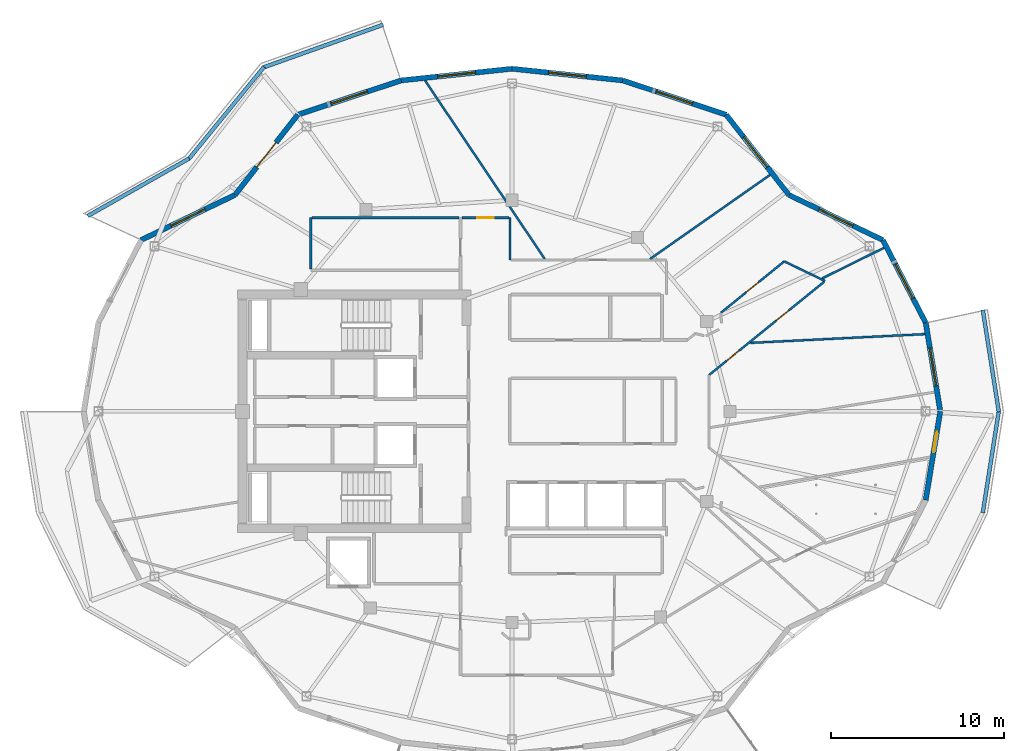
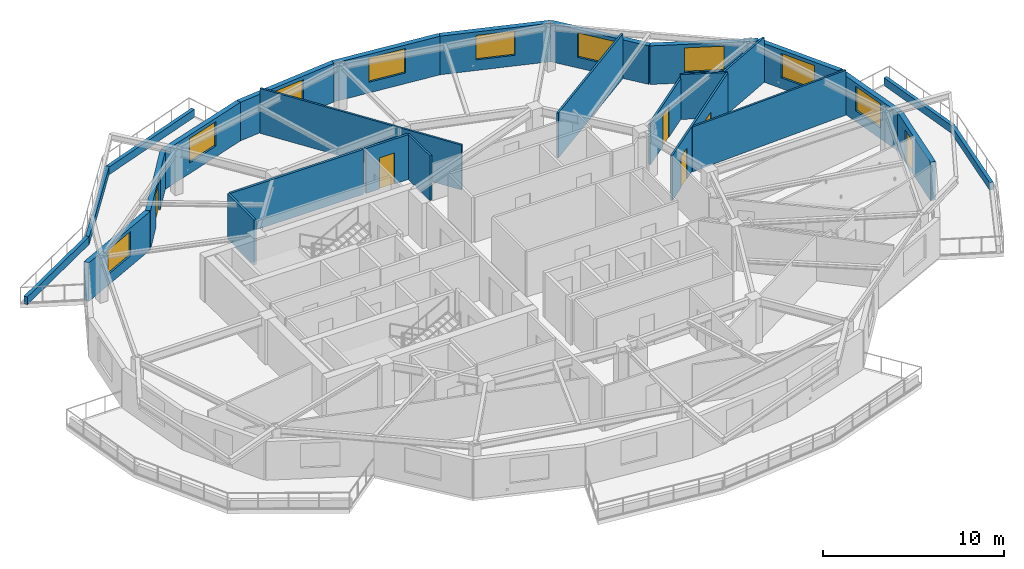
# One storey, part 6 of 14: 27 walls, 9 windows, 6 doors, 15 openings.
"""IFC4 building model written with IfcOpenShell, lengths in metres."""

from ifc_helpers import new_model, si_unit, direction, frame, frame_2d, origin, place, context, subcontext, project, spatial, rectangle, extrude, material, layer, layer_set, type_object, element, fill, save


model = new_model("IFC4")

# Units and contexts
model_context = context("Model", 3, precision=1e-05, world=origin(), true_north=direction((0.0, 1.0)))
body_context = subcontext(model_context, "Body", "Model", "MODEL_VIEW")
ifc_project = project(units=[si_unit("LENGTHUNIT", "METRE"), si_unit("AREAUNIT", "SQUARE_METRE"), si_unit("VOLUMEUNIT", "CUBIC_METRE"), si_unit("PLANEANGLEUNIT", "RADIAN"), si_unit("MASSUNIT", "GRAM", prefix="KILO")], contexts=[model_context])

# Site, building, storey
site_placement = place(None, origin())
site = spatial("IfcSite", under=ifc_project, at=site_placement, CompositionType="ELEMENT")
building_placement = place(site_placement, origin())
building = spatial("IfcBuilding", under=site, at=building_placement, Name="Kolvaren Gate Tower and Convention Centre", CompositionType="ELEMENT")
storey_placement = place(building_placement, frame((0.0, 0.0, 222.800048828125)))
storey = spatial("IfcBuildingStorey", under=building, at=storey_placement, Name="L59", CompositionType="ELEMENT", Elevation=222.800048828125)

# Wall
ifc_material_1 = material(Name="Fire-Rated Acoustic Gypsum Stud Partition", Category="gypsum")
ifc_layer_1 = layer(ifc_material_1, 0.1201171875)
ifc_layer_set_1 = layer_set([ifc_layer_1], Name="Fire-Rated Acoustic Gypsum Stud Partition")
wall_type_1 = type_object("IfcWallType", Name="ARCH-WL-PART-120", PredefinedType="PARTITIONING", material=ifc_layer_set_1)
wall_1_placement = place(storey_placement, frame((30.0, 35.75, 0.0), z_axis=(0.0, 0.0, 1.0), x_axis=(0.0, 1.0, 0.0)))
element("IfcWall", 1, at=wall_1_placement, inside=storey, type_object=wall_type_1, Name="Interior Partition WL-L59-INT-017", PredefinedType="PARTITIONING", context=body_context, shape_type="SweptSolid", body=[
    extrude(rectangle(XDim=2.449951171875, YDim=0.1201171875, at=frame_2d((1.22509765625, 0.0))), origin(), (0.0, 0.0, 1.0), 3.030029296875),
])

# Wall, opening, door
wall_2_placement = place(storey_placement, frame((42.1962890625, 32.6962890625, 0.0), z_axis=(0.0, 0.0, 1.0), x_axis=(0.776319732197, 0.630339331949, 0.0)))
wall_2 = element("IfcWall", 2, at=wall_2_placement, inside=storey, type_object=wall_type_1, Name="Interior Partition WL-L59-INT-035", PredefinedType="PARTITIONING", context=body_context, shape_type="SweptSolid", body=[
    extrude(rectangle(XDim=4.718017578125, YDim=0.1201171875, at=frame_2d((2.35888671875, 0.0))), origin(), (0.0, 0.0, 1.0), 2.77001953125),
])
opening_1_placement = place(wall_2_placement, frame((1.884033203125, 0.0, 0.0)))
opening_1 = element("IfcOpeningElement", 3, at=opening_1_placement, cuts=wall_2, Name="Opening DR-01", PredefinedType="OPENING", context=body_context, shape_type="SweptSolid", body=[
    extrude(rectangle(XDim=0.949951171875, YDim=2.10009765625, at=frame_2d((0.47509765625, 1.050048828125))), frame((0.0, 0.070068359375, 0.0), z_axis=(0.0, -1.0, 0.0), x_axis=(1.0, 0.0, 0.0)), (0.0, 0.0, 1.0), 0.14013671875),
])
ifc_material_2 = material(Name="Painted Architectural Steelwork ASTM A500 Grade C 345 MPa", Category="steel")
door_type_1 = type_object("IfcDoorType", Name="ARCH-DR-RISER-950", OperationType="SINGLE_SWING_RIGHT", PredefinedType="DOOR", material=ifc_material_2)
door_1_placement = place(opening_1_placement, origin())
door_1 = element("IfcDoor", 4, at=door_1_placement, inside=storey, type_object=door_type_1, Name="Resident Quiet Study Office Door", OperationType="SINGLE_SWING_RIGHT", OverallHeight=2.10009765625, OverallWidth=0.949951171875, PredefinedType="DOOR", context=body_context, shape_type="SweptSolid", body=[
    extrude(rectangle(XDim=0.949951171875, YDim=2.10009765625, at=frame_2d((0.47509765625, 1.050048828125))), frame((0.0, 0.02490234375, 0.0), z_axis=(0.0, -1.0, 0.0), x_axis=(1.0, 0.0, 0.0)), (0.0, 0.0, 1.0), 0.050048828125),
])
fill(opening_1, door_1)

# Wall
wall_3_placement = place(storey_placement, frame((45.864013671875, 35.6640625, 0.0), z_axis=(0.0, 0.0, 1.0), x_axis=(0.901492416592, -0.432794896951, 0.0)))
element("IfcWall", 5, at=wall_3_placement, inside=storey, type_object=wall_type_1, Name="Interior Partition WL-L59-INT-038", PredefinedType="PARTITIONING", context=body_context, shape_type="SweptSolid", body=[
    extrude(rectangle(XDim=2.611328125, YDim=0.1201171875, at=frame_2d((1.3056640625, 0.0))), origin(), (0.0, 0.0, 1.0), 3.030029296875),
])

# Wall, openings, doors
wall_4_placement = place(storey_placement, frame((41.52001953125, 29.10791015625, 0.0), z_axis=(0.0, 0.0, 1.0), x_axis=(0.777032738693, 0.629460183808, 0.0)))
wall_4 = element("IfcWall", 6, at=wall_4_placement, inside=storey, type_object=wall_type_1, Name="Interior Partition WL-L59-INT-039", PredefinedType="PARTITIONING", context=body_context, shape_type="SweptSolid", body=[
    extrude(rectangle(XDim=8.551513671875, YDim=0.1201171875, at=frame_2d((4.27587890625, 0.0))), origin(), (0.0, 0.0, 1.0), 3.030029296875),
])
opening_2_placement = place(wall_4_placement, frame((1.2783203125, 0.0, 0.0)))
opening_2 = element("IfcOpeningElement", 7, at=opening_2_placement, cuts=wall_4, Name="Opening DR-01", PredefinedType="OPENING", context=body_context, shape_type="SweptSolid", body=[
    extrude(rectangle(XDim=0.949951171875, YDim=2.10009765625, at=frame_2d((0.47509765625, 1.050048828125))), frame((0.0, 0.070068359375, 0.0), z_axis=(0.0, -1.0, 0.0), x_axis=(1.0, 0.0, 0.0)), (0.0, 0.0, 1.0), 0.14013671875),
])
opening_3_placement = place(wall_4_placement, frame((4.976806640625, 0.0, 0.0)))
opening_3 = element("IfcOpeningElement", 8, at=opening_3_placement, cuts=wall_4, Name="Opening DR-01", PredefinedType="OPENING", context=body_context, shape_type="SweptSolid", body=[
    extrude(rectangle(XDim=0.949951171875, YDim=2.10009765625, at=frame_2d((0.47509765625, 1.050048828125))), frame((0.0, 0.070068359375, 0.0), z_axis=(0.0, -1.0, 0.0), x_axis=(1.0, 0.0, 0.0)), (0.0, 0.0, 1.0), 0.14013671875),
])
door_2_placement = place(opening_2_placement, origin())
door_2 = element("IfcDoor", 9, at=door_2_placement, inside=storey, type_object=door_type_1, Name="Resident Quiet Study Office Door", OperationType="SINGLE_SWING_RIGHT", OverallHeight=2.10009765625, OverallWidth=0.949951171875, PredefinedType="DOOR", context=body_context, shape_type="SweptSolid", body=[
    extrude(rectangle(XDim=0.949951171875, YDim=2.10009765625, at=frame_2d((0.47509765625, 1.050048828125))), frame((0.0, 0.02490234375, 0.0), z_axis=(0.0, -1.0, 0.0), x_axis=(1.0, 0.0, 0.0)), (0.0, 0.0, 1.0), 0.050048828125),
])
fill(opening_2, door_2)
door_3_placement = place(opening_3_placement, origin())
door_3 = element("IfcDoor", 10, at=door_3_placement, inside=storey, type_object=door_type_1, Name="Resident Private Workroom Door", OperationType="SINGLE_SWING_LEFT", OverallHeight=2.10009765625, OverallWidth=0.949951171875, PredefinedType="DOOR", context=body_context, shape_type="SweptSolid", body=[
    extrude(rectangle(XDim=0.949951171875, YDim=2.10009765625, at=frame_2d((0.47509765625, 1.050048828125))), frame((0.0, 0.02490234375, 0.0), z_axis=(0.0, -1.0, 0.0), x_axis=(1.0, 0.0, 0.0)), (0.0, 0.0, 1.0), 0.050048828125),
])
fill(opening_3, door_3)

# Walls
wall_5_placement = place(storey_placement, frame((43.9013671875, 30.957275390625, 0.0), z_axis=(0.0, 0.0, 1.0), x_axis=(0.998738311517, 0.050217378547, 0.0)))
element("IfcWall", 11, at=wall_5_placement, inside=storey, type_object=wall_type_1, Name="Interior Partition WL-L59-INT-066", PredefinedType="PARTITIONING", context=body_context, shape_type="SweptSolid", body=[
    extrude(rectangle(XDim=10.09765625, YDim=0.1201171875, at=frame_2d((5.048828125, 0.0))), origin(), (0.0, 0.0, 1.0), 3.030029296875),
])
wall_6_placement = place(storey_placement, frame((48.046875, 34.68505859375, 0.0), z_axis=(0.0, 0.0, 1.0), x_axis=(0.896512119569, 0.443019208912, 0.0)))
element("IfcWall", 12, at=wall_6_placement, inside=storey, type_object=wall_type_1, Name="Interior Partition WL-L59-INT-068", PredefinedType="PARTITIONING", context=body_context, shape_type="SweptSolid", body=[
    extrude(rectangle(XDim=3.986083984375, YDim=0.1201171875, at=frame_2d((1.9931640625, 0.0))), origin(), (0.0, 0.0, 1.0), 3.030029296875),
])
wall_7_placement = place(storey_placement, frame((38.109619140625, 35.81201171875, 0.0), z_axis=(0.0, 0.0, 1.0), x_axis=(0.81888313017, 0.57396029403, 0.0)))
element("IfcWall", 13, at=wall_7_placement, inside=storey, type_object=wall_type_1, Name="Interior Partition WL-L59-INT-069", PredefinedType="PARTITIONING", context=body_context, shape_type="SweptSolid", body=[
    extrude(rectangle(XDim=8.454833984375, YDim=0.1201171875, at=frame_2d((4.2275390625, 0.0))), origin(), (0.0, 0.0, 1.0), 3.030029296875),
])
wall_8_placement = place(storey_placement, frame((25.1005859375, 46.117919921875, 0.0), z_axis=(0.0, 0.0, 1.0), x_axis=(0.557162782685, -0.830403295749, 0.0)))
element("IfcWall", 14, at=wall_8_placement, inside=storey, type_object=wall_type_1, Name="Interior Partition WL-L59-INT-070", PredefinedType="PARTITIONING", context=body_context, shape_type="SweptSolid", body=[
    extrude(rectangle(XDim=12.41064453125, YDim=0.1201171875, at=frame_2d((6.205322265625, 0.0))), origin(), (0.0, 0.0, 1.0), 3.030029296875),
])
ifc_material_3 = material(Name="Piedmont Cream Honed Limestone Cladding", Category="masonry")
ifc_layer_2 = layer(ifc_material_3, 0.219970703125)
ifc_layer_set_2 = layer_set([ifc_layer_2], Name="Piedmont Cream Honed Limestone Cladding")
wall_type_2 = type_object("IfcWallType", Name="ARCH-WL-PLANTER-220", PredefinedType="PARAPET", material=ifc_layer_set_2)
wall_9_placement = place(storey_placement, frame((15.73681640625, 46.866455078125, 0.0), z_axis=(0.0, 0.0, 1.0), x_axis=(0.941780086523, 0.336229488042, 0.0)))
element("IfcWall", 15, at=wall_9_placement, inside=storey, type_object=wall_type_2, Name="Vertical-Forest Balcony Stone Planter Kerb PK-L59-1.1", PredefinedType="PARAPET", context=body_context, shape_type="SweptSolid", body=[
    extrude(rectangle(XDim=7.3779296875, YDim=0.219970703125, at=frame_2d((3.68896484375, 0.0))), origin(), (0.0, 0.0, 1.0), 0.52001953125),
])
wall_10_placement = place(storey_placement, frame((11.42724609375, 41.55859375, 0.0), z_axis=(0.0, 0.0, 1.0), x_axis=(0.632697312147, 0.774399193699, 0.0)))
element("IfcWall", 16, at=wall_10_placement, inside=storey, type_object=wall_type_2, Name="Vertical-Forest Balcony Stone Planter Kerb PK-L59-1.2", PredefinedType="PARAPET", context=body_context, shape_type="SweptSolid", body=[
    extrude(rectangle(XDim=6.9140625, YDim=0.219970703125, at=frame_2d((3.45703125, 0.0))), origin(), (0.0, 0.0, 1.0), 0.52001953125),
])
wall_11_placement = place(storey_placement, frame((5.6083984375, 38.29052734375, 0.0), z_axis=(0.0, 0.0, 1.0), x_axis=(0.869860619267, 0.493297580623, 0.0)))
element("IfcWall", 17, at=wall_11_placement, inside=storey, type_object=wall_type_2, Name="Vertical-Forest Balcony Stone Planter Kerb PK-L59-1.3", PredefinedType="PARAPET", context=body_context, shape_type="SweptSolid", body=[
    extrude(rectangle(XDim=6.74267578125, YDim=0.219970703125, at=frame_2d((3.371337890625, 0.0))), origin(), (0.0, 0.0, 1.0), 0.52001953125),
])
for number, where, z_axis, x_axis, name in (
    (18, (57.331787109375, 21.1376953125, 0.0), (0.0, 0.0, 1.0), (0.1550711793, 0.987903299595, 0.0), "Vertical-Forest Balcony Stone Planter Kerb PK-L59-4.2"),
    (19, (57.331787109375, 32.8623046875, 0.0), (0.0, 0.0, 1.0), (0.1550711793, -0.987903299595, 0.0), "Vertical-Forest Balcony Stone Planter Kerb PK-L59-4.3"),
):
    element("IfcWall", number, at=place(storey_placement, frame(where, z_axis=z_axis, x_axis=x_axis)), inside=storey, type_object=wall_type_2, Name=name, PredefinedType="PARAPET", context=body_context, shape_type="SweptSolid", body=[
        extrude(rectangle(XDim=5.963623046875, YDim=0.219970703125, at=frame_2d((2.98193359375, 0.0))), origin(), (0.0, 0.0, 1.0), 0.52001953125),
    ])

# Wall, opening, window
ifc_layer_3 = layer(ifc_material_3, 0.300048828125)
ifc_layer_set_3 = layer_set([ifc_layer_3], Name="Piedmont Cream Honed Limestone Cladding")
wall_type_3 = type_object("IfcWallType", Name="ARCH-WL-STONE-300", PredefinedType="SOLIDWALL", material=ifc_layer_set_3)
wall_12_placement = place(storey_placement, frame((54.03173828125, 32.12451171875, 0.0), z_axis=(0.0, 0.0, 1.0), x_axis=(0.16237087798, -0.986729799886, 0.0)))
wall_12 = element("IfcWall", 20, at=wall_12_placement, inside=storey, type_object=wall_type_3, Name="Tower L59 Honed Stone Spandrel Wall EW-00", PredefinedType="SOLIDWALL", context=body_context, shape_type="SweptSolid", body=[
    extrude(rectangle(XDim=5.193359375, YDim=0.300048828125, at=frame_2d((2.5966796875, 0.0))), origin(), (0.0, 0.0, 1.0), 2.60498046875),
])
opening_4_placement = place(wall_12_placement, frame((1.4970703125, 0.0, 0.719970703125)))
opening_4 = element("IfcOpeningElement", 21, at=opening_4_placement, cuts=wall_12, Name="Opening W-03", PredefinedType="OPENING", context=body_context, shape_type="SweptSolid", body=[
    extrude(rectangle(XDim=2.199951171875, YDim=1.64990234375, at=frame_2d((1.10009765625, 0.824951171875))), frame((0.0, 0.159912109375, 0.0), z_axis=(0.0, -1.0, 0.0), x_axis=(1.0, 0.0, 0.0)), (0.0, 0.0, 1.0), 0.320068359375),
])
ifc_material_4 = material(Name="Low-E Triple Insulated Glazing Unit 44 mm", Category="glass")
window_type = type_object("IfcWindowType", Name="ARCH-WN-RES-2200", PartitioningType="SINGLE_PANEL", PredefinedType="WINDOW", material=ifc_material_4)
window_1_placement = place(opening_4_placement, origin())
window_1 = element("IfcWindow", 22, at=window_1_placement, inside=storey, type_object=window_type, Name="Tower L59 Punched Stone Facade Window W-00", OverallHeight=1.64990234375, OverallWidth=2.199951171875, PartitioningType="SINGLE_PANEL", PredefinedType="WINDOW", context=body_context, shape_type="SweptSolid", body=[
    extrude(rectangle(XDim=2.199951171875, YDim=1.64990234375, at=frame_2d((1.10009765625, 0.824951171875))), frame((0.0, 0.030029296875, 0.0), z_axis=(0.0, -1.0, 0.0), x_axis=(1.0, 0.0, 0.0)), (0.0, 0.0, 1.0), 0.06005859375),
])
fill(opening_4, window_1)

wall_13_placement = place(storey_placement, frame((51.55908203125, 36.89990234375, 0.0), z_axis=(0.0, 0.0, 1.0), x_axis=(0.459808219482, -0.888018243786, 0.0)))
wall_13 = element("IfcWall", 23, at=wall_13_placement, inside=storey, type_object=wall_type_3, Name="Tower L59 Honed Stone Spandrel Wall EW-01", PredefinedType="SOLIDWALL", context=body_context, shape_type="SweptSolid", body=[
    extrude(rectangle(XDim=5.377685546875, YDim=0.300048828125, at=frame_2d((2.68896484375, 0.0))), origin(), (0.0, 0.0, 1.0), 2.60498046875),
])
opening_5_placement = place(wall_13_placement, frame((1.589111328125, 0.0, 0.719970703125)))
opening_5 = element("IfcOpeningElement", 24, at=opening_5_placement, cuts=wall_13, Name="Opening W-03", PredefinedType="OPENING", context=body_context, shape_type="SweptSolid", body=[
    extrude(rectangle(XDim=2.199951171875, YDim=1.64990234375, at=frame_2d((1.10009765625, 0.824951171875))), frame((0.0, 0.159912109375, 0.0), z_axis=(0.0, -1.0, 0.0), x_axis=(1.0, 0.0, 0.0)), (0.0, 0.0, 1.0), 0.320068359375),
])
window_2_placement = place(opening_5_placement, origin())
window_2 = element("IfcWindow", 25, at=window_2_placement, inside=storey, type_object=window_type, Name="Tower L59 Punched Stone Facade Window W-01", OverallHeight=1.64990234375, OverallWidth=2.199951171875, PartitioningType="SINGLE_PANEL", PredefinedType="WINDOW", context=body_context, shape_type="SweptSolid", body=[
    extrude(rectangle(XDim=2.199951171875, YDim=1.64990234375, at=frame_2d((1.10009765625, 0.824951171875))), frame((0.0, 0.030029296875, 0.0), z_axis=(0.0, -1.0, 0.0), x_axis=(1.0, 0.0, 0.0)), (0.0, 0.0, 1.0), 0.06005859375),
])
fill(opening_5, window_2)

wall_14_placement = place(storey_placement, frame((46.132568359375, 39.50732421875, 0.0), z_axis=(0.0, 0.0, 1.0), x_axis=(0.901348331142, -0.433094892545, 0.0)))
wall_14 = element("IfcWall", 26, at=wall_14_placement, inside=storey, type_object=wall_type_3, Name="Tower L59 Honed Stone Spandrel Wall EW-02", PredefinedType="SOLIDWALL", context=body_context, shape_type="SweptSolid", body=[
    extrude(rectangle(XDim=6.0205078125, YDim=0.300048828125, at=frame_2d((3.01025390625, 0.0))), origin(), (0.0, 0.0, 1.0), 2.60498046875),
])
opening_6_placement = place(wall_14_placement, frame((1.909912109375, 0.0, 0.719970703125)))
opening_6 = element("IfcOpeningElement", 27, at=opening_6_placement, cuts=wall_14, Name="Opening W-03", PredefinedType="OPENING", context=body_context, shape_type="SweptSolid", body=[
    extrude(rectangle(XDim=2.199951171875, YDim=1.64990234375, at=frame_2d((1.10009765625, 0.824951171875))), frame((0.0, 0.159912109375, 0.0), z_axis=(0.0, -1.0, 0.0), x_axis=(1.0, 0.0, 0.0)), (0.0, 0.0, 1.0), 0.320068359375),
])
window_3_placement = place(opening_6_placement, origin())
window_3 = element("IfcWindow", 28, at=window_3_placement, inside=storey, type_object=window_type, Name="Tower L59 Punched Stone Facade Window W-02", OverallHeight=1.64990234375, OverallWidth=2.199951171875, PartitioningType="SINGLE_PANEL", PredefinedType="WINDOW", context=body_context, shape_type="SweptSolid", body=[
    extrude(rectangle(XDim=2.199951171875, YDim=1.64990234375, at=frame_2d((1.10009765625, 0.824951171875))), frame((0.0, 0.030029296875, 0.0), z_axis=(0.0, -1.0, 0.0), x_axis=(1.0, 0.0, 0.0)), (0.0, 0.0, 1.0), 0.06005859375),
])
fill(opening_6, window_3)

wall_15_placement = place(storey_placement, frame((42.5, 44.147216796875, 0.0), z_axis=(0.0, 0.0, 1.0), x_axis=(0.616450126935, -0.787393955401, 0.0)))
wall_15 = element("IfcWall", 29, at=wall_15_placement, inside=storey, type_object=wall_type_3, Name="Tower L59 Honed Stone Spandrel Wall EW-03", PredefinedType="SOLIDWALL", context=body_context, shape_type="SweptSolid", body=[
    extrude(rectangle(XDim=5.892822265625, YDim=0.300048828125, at=frame_2d((2.9462890625, 0.0))), origin(), (0.0, 0.0, 1.0), 2.60498046875),
])
opening_7_placement = place(wall_15_placement, frame((1.64990234375, 0.0, 0.719970703125)))
opening_7 = element("IfcOpeningElement", 30, at=opening_7_placement, cuts=wall_15, Name="Opening W-03", PredefinedType="OPENING", context=body_context, shape_type="SweptSolid", body=[
    extrude(rectangle(XDim=2.199951171875, YDim=1.64990234375, at=frame_2d((1.10009765625, 0.824951171875))), frame((0.0, 0.159912109375, 0.0), z_axis=(0.0, -1.0, 0.0), x_axis=(1.0, 0.0, 0.0)), (0.0, 0.0, 1.0), 0.320068359375),
])
window_4_placement = place(opening_7_placement, origin())
window_4 = element("IfcWindow", 31, at=window_4_placement, inside=storey, type_object=window_type, Name="Tower L59 Punched Stone Facade Window W-03", OverallHeight=1.64990234375, OverallWidth=2.199951171875, PartitioningType="SINGLE_PANEL", PredefinedType="WINDOW", context=body_context, shape_type="SweptSolid", body=[
    extrude(rectangle(XDim=2.199951171875, YDim=1.64990234375, at=frame_2d((1.10009765625, 0.824951171875))), frame((0.0, 0.030029296875, 0.0), z_axis=(0.0, -1.0, 0.0), x_axis=(1.0, 0.0, 0.0)), (0.0, 0.0, 1.0), 0.06005859375),
])
fill(opening_7, window_4)

wall_16_placement = place(storey_placement, frame((36.53076171875, 46.125244140625, 0.0), z_axis=(0.0, 0.0, 1.0), x_axis=(0.949240877604, -0.314550085495, 0.0)))
wall_16 = element("IfcWall", 32, at=wall_16_placement, inside=storey, type_object=wall_type_3, Name="Tower L59 Honed Stone Spandrel Wall EW-04", PredefinedType="SOLIDWALL", context=body_context, shape_type="SweptSolid", body=[
    extrude(rectangle(XDim=6.288330078125, YDim=0.300048828125, at=frame_2d((3.14404296875, 0.0))), origin(), (0.0, 0.0, 1.0), 2.60498046875),
])
opening_8_placement = place(wall_16_placement, frame((2.0439453125, 0.0, 0.719970703125)))
opening_8 = element("IfcOpeningElement", 33, at=opening_8_placement, cuts=wall_16, Name="Opening W-03", PredefinedType="OPENING", context=body_context, shape_type="SweptSolid", body=[
    extrude(rectangle(XDim=2.199951171875, YDim=1.64990234375, at=frame_2d((1.10009765625, 0.824951171875))), frame((0.0, 0.159912109375, 0.0), z_axis=(0.0, -1.0, 0.0), x_axis=(1.0, 0.0, 0.0)), (0.0, 0.0, 1.0), 0.320068359375),
])
window_5_placement = place(opening_8_placement, origin())
window_5 = element("IfcWindow", 34, at=window_5_placement, inside=storey, type_object=window_type, Name="Tower L59 Punched Stone Facade Window W-04", OverallHeight=1.64990234375, OverallWidth=2.199951171875, PartitioningType="SINGLE_PANEL", PredefinedType="WINDOW", context=body_context, shape_type="SweptSolid", body=[
    extrude(rectangle(XDim=2.199951171875, YDim=1.64990234375, at=frame_2d((1.10009765625, 0.824951171875))), frame((0.0, 0.030029296875, 0.0), z_axis=(0.0, -1.0, 0.0), x_axis=(1.0, 0.0, 0.0)), (0.0, 0.0, 1.0), 0.06005859375),
])
fill(opening_8, window_5)

wall_17_placement = place(storey_placement, frame((30.125, 46.800048828125, 0.0), z_axis=(0.0, 0.0, 1.0), x_axis=(0.994497142298, -0.104763705363, 0.0)))
wall_17 = element("IfcWall", 35, at=wall_17_placement, inside=storey, type_object=wall_type_3, Name="Tower L59 Honed Stone Spandrel Wall EW-05", PredefinedType="SOLIDWALL", context=body_context, shape_type="SweptSolid", body=[
    extrude(rectangle(XDim=6.441162109375, YDim=0.300048828125, at=frame_2d((3.220703125, 0.0))), origin(), (0.0, 0.0, 1.0), 2.60498046875),
])
opening_9_placement = place(wall_17_placement, frame((2.12109375, 0.0, 0.719970703125)))
opening_9 = element("IfcOpeningElement", 36, at=opening_9_placement, cuts=wall_17, Name="Opening W-03", PredefinedType="OPENING", context=body_context, shape_type="SweptSolid", body=[
    extrude(rectangle(XDim=2.199951171875, YDim=1.64990234375, at=frame_2d((1.10009765625, 0.824951171875))), frame((0.0, 0.159912109375, 0.0), z_axis=(0.0, -1.0, 0.0), x_axis=(1.0, 0.0, 0.0)), (0.0, 0.0, 1.0), 0.320068359375),
])
window_6_placement = place(opening_9_placement, origin())
window_6 = element("IfcWindow", 37, at=window_6_placement, inside=storey, type_object=window_type, Name="Tower L59 Punched Stone Facade Window W-05", OverallHeight=1.64990234375, OverallWidth=2.199951171875, PartitioningType="SINGLE_PANEL", PredefinedType="WINDOW", context=body_context, shape_type="SweptSolid", body=[
    extrude(rectangle(XDim=2.199951171875, YDim=1.64990234375, at=frame_2d((1.10009765625, 0.824951171875))), frame((0.0, 0.030029296875, 0.0), z_axis=(0.0, -1.0, 0.0), x_axis=(1.0, 0.0, 0.0)), (0.0, 0.0, 1.0), 0.06005859375),
])
fill(opening_9, window_6)

wall_18_placement = place(storey_placement, frame((23.71923828125, 46.125244140625, 0.0), z_axis=(0.0, 0.0, 1.0), x_axis=(0.994497142298, 0.104763705363, 0.0)))
wall_18 = element("IfcWall", 38, at=wall_18_placement, inside=storey, type_object=wall_type_3, Name="Tower L59 Honed Stone Spandrel Wall EW-06", PredefinedType="SOLIDWALL", context=body_context, shape_type="SweptSolid", body=[
    extrude(rectangle(XDim=6.441162109375, YDim=0.300048828125, at=frame_2d((3.220703125, 0.0))), origin(), (0.0, 0.0, 1.0), 2.60498046875),
])
opening_10_placement = place(wall_18_placement, frame((2.12109375, 0.0, 0.719970703125)))
opening_10 = element("IfcOpeningElement", 39, at=opening_10_placement, cuts=wall_18, Name="Opening W-03", PredefinedType="OPENING", context=body_context, shape_type="SweptSolid", body=[
    extrude(rectangle(XDim=2.199951171875, YDim=1.64990234375, at=frame_2d((1.10009765625, 0.824951171875))), frame((0.0, 0.159912109375, 0.0), z_axis=(0.0, -1.0, 0.0), x_axis=(1.0, 0.0, 0.0)), (0.0, 0.0, 1.0), 0.320068359375),
])
window_7_placement = place(opening_10_placement, origin())
window_7 = element("IfcWindow", 40, at=window_7_placement, inside=storey, type_object=window_type, Name="Tower L59 Punched Stone Facade Window W-06", OverallHeight=1.64990234375, OverallWidth=2.199951171875, PartitioningType="SINGLE_PANEL", PredefinedType="WINDOW", context=body_context, shape_type="SweptSolid", body=[
    extrude(rectangle(XDim=2.199951171875, YDim=1.64990234375, at=frame_2d((1.10009765625, 0.824951171875))), frame((0.0, 0.030029296875, 0.0), z_axis=(0.0, -1.0, 0.0), x_axis=(1.0, 0.0, 0.0)), (0.0, 0.0, 1.0), 0.06005859375),
])
fill(opening_10, window_7)

wall_19_placement = place(storey_placement, frame((17.75, 44.147216796875, 0.0), z_axis=(0.0, 0.0, 1.0), x_axis=(0.949240877604, 0.314550085495, 0.0)))
wall_19 = element("IfcWall", 41, at=wall_19_placement, inside=storey, type_object=wall_type_3, Name="Tower L59 Honed Stone Spandrel Wall EW-07", PredefinedType="SOLIDWALL", context=body_context, shape_type="SweptSolid", body=[
    extrude(rectangle(XDim=6.288330078125, YDim=0.300048828125, at=frame_2d((3.14404296875, 0.0))), origin(), (0.0, 0.0, 1.0), 2.60498046875),
])
opening_11_placement = place(wall_19_placement, frame((2.0439453125, 0.0, 0.719970703125)))
opening_11 = element("IfcOpeningElement", 42, at=opening_11_placement, cuts=wall_19, Name="Opening W-03", PredefinedType="OPENING", context=body_context, shape_type="SweptSolid", body=[
    extrude(rectangle(XDim=2.199951171875, YDim=1.64990234375, at=frame_2d((1.10009765625, 0.824951171875))), frame((0.0, 0.159912109375, 0.0), z_axis=(0.0, -1.0, 0.0), x_axis=(1.0, 0.0, 0.0)), (0.0, 0.0, 1.0), 0.320068359375),
])
window_8_placement = place(opening_11_placement, origin())
window_8 = element("IfcWindow", 43, at=window_8_placement, inside=storey, type_object=window_type, Name="Tower L59 Punched Stone Facade Window W-07", OverallHeight=1.64990234375, OverallWidth=2.199951171875, PartitioningType="SINGLE_PANEL", PredefinedType="WINDOW", context=body_context, shape_type="SweptSolid", body=[
    extrude(rectangle(XDim=2.199951171875, YDim=1.64990234375, at=frame_2d((1.10009765625, 0.824951171875))), frame((0.0, 0.030029296875, 0.0), z_axis=(0.0, -1.0, 0.0), x_axis=(1.0, 0.0, 0.0)), (0.0, 0.0, 1.0), 0.06005859375),
])
fill(opening_11, window_8)

# Wall, opening, door
wall_20_placement = place(storey_placement, frame((14.117431640625, 39.50732421875, 0.0), z_axis=(0.0, 0.0, 1.0), x_axis=(0.616450126935, 0.787393955401, 0.0)))
wall_20 = element("IfcWall", 44, at=wall_20_placement, inside=storey, type_object=wall_type_3, Name="Tower L59 Honed Stone Spandrel Wall EW-08", PredefinedType="SOLIDWALL", context=body_context, shape_type="SweptSolid", body=[
    extrude(rectangle(XDim=5.892822265625, YDim=0.300048828125, at=frame_2d((2.9462890625, 0.0))), origin(), (0.0, 0.0, 1.0), 2.60498046875),
])
opening_12_placement = place(wall_20_placement, frame((2.0458984375, 0.0, 0.0)))
opening_12 = element("IfcOpeningElement", 45, at=opening_12_placement, cuts=wall_20, Name="Opening DB-01", PredefinedType="OPENING", context=body_context, shape_type="SweptSolid", body=[
    extrude(rectangle(XDim=1.800048828125, YDim=2.25, at=frame_2d((0.89990234375, 1.125))), frame((0.0, 0.159912109375, 0.0), z_axis=(0.0, -1.0, 0.0), x_axis=(1.0, 0.0, 0.0)), (0.0, 0.0, 1.0), 0.320068359375),
])
ifc_material_5 = material(Name="Anodized Architectural Aluminium Alloy 6063-T6", Category="aluminium")
door_type_2 = type_object("IfcDoorType", Name="ARCH-DR-BALC-1800", OperationType="SLIDING_TO_LEFT", PredefinedType="DOOR", material=ifc_material_5)
door_4_placement = place(opening_12_placement, origin())
door_4 = element("IfcDoor", 46, at=door_4_placement, inside=storey, type_object=door_type_2, Name="Planted Sky Terrace Access Door DB-L59-08", OperationType="SLIDING_TO_LEFT", OverallHeight=2.25, OverallWidth=1.800048828125, PredefinedType="DOOR", context=body_context, shape_type="SweptSolid", body=[
    extrude(rectangle(XDim=1.800048828125, YDim=2.25, at=frame_2d((0.89990234375, 1.125))), frame((0.0, 0.02490234375, 0.0), z_axis=(0.0, -1.0, 0.0), x_axis=(1.0, 0.0, 0.0)), (0.0, 0.0, 1.0), 0.050048828125),
])
fill(opening_12, door_4)

# Wall, opening, window
wall_21_placement = place(storey_placement, frame((8.69091796875, 36.89990234375, 0.0), z_axis=(0.0, 0.0, 1.0), x_axis=(0.901348331142, 0.433094892545, 0.0)))
wall_21 = element("IfcWall", 47, at=wall_21_placement, inside=storey, type_object=wall_type_3, Name="Tower L59 Honed Stone Spandrel Wall EW-09", PredefinedType="SOLIDWALL", context=body_context, shape_type="SweptSolid", body=[
    extrude(rectangle(XDim=6.0205078125, YDim=0.300048828125, at=frame_2d((3.01025390625, 0.0))), origin(), (0.0, 0.0, 1.0), 2.60498046875),
])
opening_13_placement = place(wall_21_placement, frame((1.909912109375, 0.0, 0.719970703125)))
opening_13 = element("IfcOpeningElement", 48, at=opening_13_placement, cuts=wall_21, Name="Opening W-03", PredefinedType="OPENING", context=body_context, shape_type="SweptSolid", body=[
    extrude(rectangle(XDim=2.199951171875, YDim=1.64990234375, at=frame_2d((1.10009765625, 0.824951171875))), frame((0.0, 0.159912109375, 0.0), z_axis=(0.0, -1.0, 0.0), x_axis=(1.0, 0.0, 0.0)), (0.0, 0.0, 1.0), 0.320068359375),
])
window_9_placement = place(opening_13_placement, origin())
window_9 = element("IfcWindow", 49, at=window_9_placement, inside=storey, type_object=window_type, Name="Tower L59 Punched Stone Facade Window W-09", OverallHeight=1.64990234375, OverallWidth=2.199951171875, PartitioningType="SINGLE_PANEL", PredefinedType="WINDOW", context=body_context, shape_type="SweptSolid", body=[
    extrude(rectangle(XDim=2.199951171875, YDim=1.64990234375, at=frame_2d((1.10009765625, 0.824951171875))), frame((0.0, 0.030029296875, 0.0), z_axis=(0.0, -1.0, 0.0), x_axis=(1.0, 0.0, 0.0)), (0.0, 0.0, 1.0), 0.06005859375),
])
fill(opening_13, window_9)

# Wall, opening, door
wall_22_placement = place(storey_placement, frame((54.03173828125, 21.87548828125, 0.0), z_axis=(0.0, 0.0, 1.0), x_axis=(0.16237087798, 0.986729799886, 0.0)))
wall_22 = element("IfcWall", 50, at=wall_22_placement, inside=storey, type_object=wall_type_3, Name="Tower L59 Honed Stone Spandrel Wall EW-23", PredefinedType="SOLIDWALL", context=body_context, shape_type="SweptSolid", body=[
    extrude(rectangle(XDim=5.193359375, YDim=0.300048828125, at=frame_2d((2.5966796875, 0.0))), origin(), (0.0, 0.0, 1.0), 2.60498046875),
])
opening_14_placement = place(wall_22_placement, frame((2.800048828125, 0.0, 0.0)))
opening_14 = element("IfcOpeningElement", 51, at=opening_14_placement, cuts=wall_22, Name="Opening DB-02", PredefinedType="OPENING", context=body_context, shape_type="SweptSolid", body=[
    extrude(rectangle(XDim=1.199951171875, YDim=2.199951171875, at=frame_2d((0.60009765625, 1.10009765625))), frame((0.0, 0.159912109375, 0.0), z_axis=(0.0, -1.0, 0.0), x_axis=(1.0, 0.0, 0.0)), (0.0, 0.0, 1.0), 0.320068359375),
])
door_type_3 = type_object("IfcDoorType", Name="ARCH-DR-BALC-1200", OperationType="NOTDEFINED", PredefinedType="DOOR", material=ifc_material_5)
door_5_placement = place(opening_14_placement, frame((1.199951171875, 0.0, 0.0), z_axis=(0.0, 0.0, 1.0), x_axis=(-1.0, 0.0, 0.0)))
door_5 = element("IfcDoor", 52, at=door_5_placement, inside=storey, type_object=door_type_3, Name="Planted Sky Terrace Access Door DB-L59-23", OperationType="SINGLE_SWING_RIGHT", OverallHeight=2.199951171875, OverallWidth=1.199951171875, PredefinedType="DOOR", context=body_context, shape_type="SweptSolid", body=[
    extrude(rectangle(XDim=1.199951171875, YDim=2.199951171875, at=frame_2d((0.60009765625, 1.10009765625))), frame((0.0, 0.02490234375, 0.0), z_axis=(0.0, -1.0, 0.0), x_axis=(1.0, 0.0, 0.0)), (0.0, 0.0, 1.0), 0.050048828125),
])
fill(opening_14, door_5)

# Walls
ifc_material_6 = material(Name="Moisture-Resistant Cement-Board Acoustic Partition", Category="gypsum")
ifc_layer_4 = layer(ifc_material_6, 0.14990234375)
ifc_layer_set_4 = layer_set([ifc_layer_4], Name="Moisture-Resistant Cement-Board Acoustic Partition")
wall_type_4 = type_object("IfcWallType", Name="ARCH-WL-WET-150", PredefinedType="PARTITIONING", material=ifc_layer_set_4)
wall_23_placement = place(storey_placement, frame((18.5, 35.237060546875, 0.0), z_axis=(0.0, 0.0, 1.0), x_axis=(0.0, 1.0, 0.0)))
element("IfcWall", 53, at=wall_23_placement, inside=storey, type_object=wall_type_4, Name="Interior Partition WL-L59-INT-029", PredefinedType="PARTITIONING", context=body_context, shape_type="SweptSolid", body=[
    extrude(rectangle(XDim=2.962890625, YDim=0.14990234375, at=frame_2d((1.4814453125, 0.0))), origin(), (0.0, 0.0, 1.0), 3.030029296875),
])
wall_24_placement = place(storey_placement, frame((18.576904296875, 38.199951171875, 0.0), z_axis=(0.0, 0.0, 1.0), x_axis=(1.0, 0.0, 0.0)))
element("IfcWall", 54, at=wall_24_placement, inside=storey, type_object=wall_type_4, Name="Interior Partition WL-L59-INT-030", PredefinedType="PARTITIONING", context=body_context, shape_type="SweptSolid", body=[
    extrude(rectangle(XDim=8.49609375, YDim=0.14990234375, at=frame_2d((4.248046875, 0.0))), origin(), (0.0, 0.0, 1.0), 3.030029296875),
])

# Wall, opening, door
wall_25_placement = place(storey_placement, frame((27.22705078125, 38.199951171875, 0.0), z_axis=(0.0, 0.0, 1.0), x_axis=(1.0, 0.0, 0.0)))
wall_25 = element("IfcWall", 55, at=wall_25_placement, inside=storey, type_object=wall_type_4, Name="Interior Partition WL-L59-INT-030 (2)", PredefinedType="PARTITIONING", context=body_context, shape_type="SweptSolid", body=[
    extrude(rectangle(XDim=2.7109375, YDim=0.14990234375, at=frame_2d((1.35546875, 0.0))), origin(), (0.0, 0.0, 1.0), 3.030029296875),
])
opening_15_placement = place(wall_25_placement, frame((0.880615234375, 0.0, 0.0)))
opening_15 = element("IfcOpeningElement", 56, at=opening_15_placement, cuts=wall_25, Name="Opening DR-01", PredefinedType="OPENING", context=body_context, shape_type="SweptSolid", body=[
    extrude(rectangle(XDim=0.949951171875, YDim=2.10009765625, at=frame_2d((0.47509765625, 1.050048828125))), frame((0.0, 0.0849609375, 0.0), z_axis=(0.0, -1.0, 0.0), x_axis=(1.0, 0.0, 0.0)), (0.0, 0.0, 1.0), 0.169921875),
])
door_6_placement = place(opening_15_placement, origin())
door_6 = element("IfcDoor", 57, at=door_6_placement, inside=storey, type_object=door_type_1, Name="Resident Private Study and Home Office Door", OperationType="SINGLE_SWING_RIGHT", OverallHeight=2.10009765625, OverallWidth=0.949951171875, PredefinedType="DOOR", context=body_context, shape_type="SweptSolid", body=[
    extrude(rectangle(XDim=0.949951171875, YDim=2.10009765625, at=frame_2d((0.47509765625, 1.050048828125))), frame((0.0, 0.02490234375, 0.0), z_axis=(0.0, -1.0, 0.0), x_axis=(1.0, 0.0, 0.0)), (0.0, 0.0, 1.0), 0.050048828125),
])
fill(opening_15, door_6)

save(model, "model.ifc")
